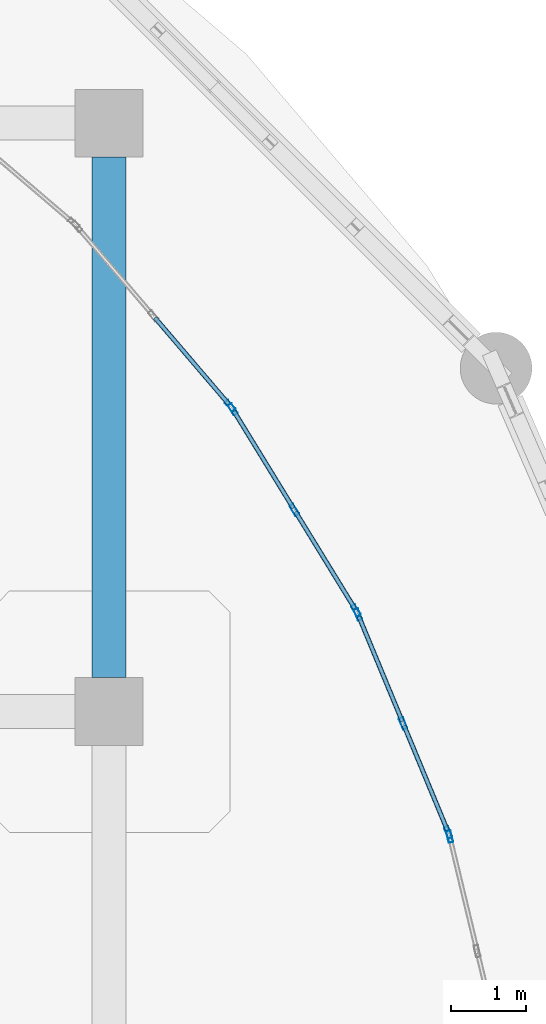
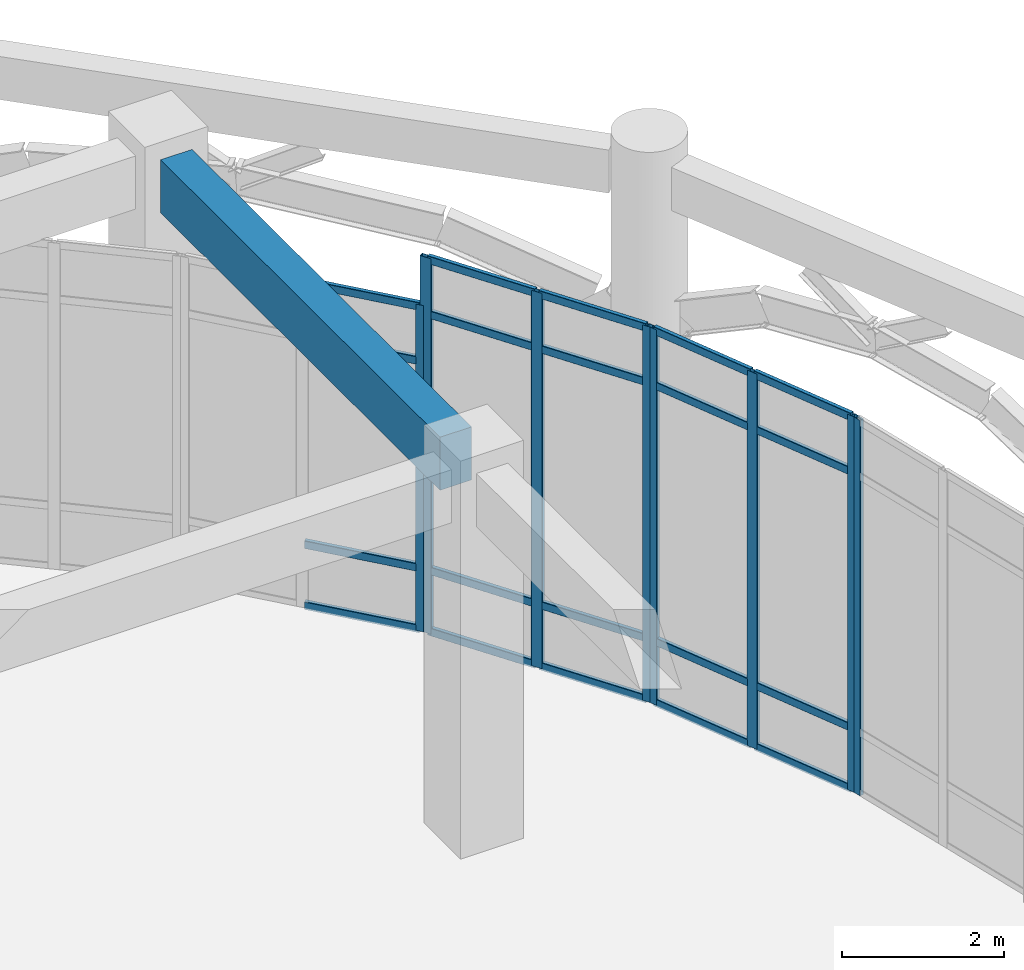
# One storey, part 46 of 82: 28 members, 1 beam, 4 elements without a shape of their own.
"""IFC4 building model written with IfcOpenShell, lengths in metres."""

from ifc_helpers import new_model, si_unit, derived_unit, direction, frame, origin, origin_2d, place, context, subcontext, project, spatial, rectangle, hollow_rectangle, extrude, material, layer, layer_set, material_profile, profile_set, type_object, element, aggregate, save


model = new_model("IFC4")

# Units and contexts
model_context = context("Model", 3, precision=1e-05, world=origin(), true_north=direction((0.0, 1.0)))
body_context = subcontext(model_context, "Body", "Model", "MODEL_VIEW")
ifc_project = project(units=[si_unit("LENGTHUNIT", "METRE"), si_unit("AREAUNIT", "SQUARE_METRE"), si_unit("VOLUMEUNIT", "CUBIC_METRE"), si_unit("PLANEANGLEUNIT", "RADIAN"), si_unit("MASSUNIT", "GRAM", prefix="KILO"), derived_unit("THERMALTRANSMITTANCEUNIT", [(si_unit("MASSUNIT", "GRAM", prefix="KILO"), 1), (si_unit("TIMEUNIT", "SECOND"), -3), (si_unit("THERMODYNAMICTEMPERATUREUNIT", "KELVIN"), -1)])], contexts=[model_context])

# Site, building, storey
site_placement = place(None, origin())
site = spatial("IfcSite", under=ifc_project, at=site_placement, CompositionType="ELEMENT")
building_placement = place(site_placement, origin())
building = spatial("IfcBuilding", under=site, at=building_placement, Name="Qinzheling Arcade Emporium", CompositionType="ELEMENT")
storey_placement = place(building_placement, origin())
storey = spatial("IfcBuildingStorey", under=building, at=storey_placement, Name="L01", CompositionType="ELEMENT", Elevation=0.0)

# Curtain wall, member
ifc_material_1 = material(Name="Anodised aluminium and solar-control double glazing", Category="aluminium")
ifc_layer = layer(ifc_material_1, 0.159912109375, Name="Anodised aluminium and solar-control double glazing", Category="aluminium")
ifc_layer_set = layer_set([ifc_layer], Name="Anodised aluminium and solar-control double glazing")
curtain_wall_type = type_object("IfcCurtainWallType", Name="Curved Ribbon Sales Curtain Wall", PredefinedType="NOTDEFINED", material=ifc_layer_set)
curtain_wall_1_placement = place(storey_placement, origin())
curtain_wall_1 = element("IfcCurtainWall", 1, at=curtain_wall_1_placement, inside=storey, type_object=curtain_wall_type, Name="Curtain Wall CW-L01-039", PredefinedType="NOTDEFINED")
ifc_material_2 = material(Name="Anodised aluminium 6063-T6", Category="aluminium")
ifc_material_profile_1 = material_profile(ifc_material_2, hollow_rectangle(XDim=0.06005859375, YDim=0.159912109375, WallThickness=0.00390625, InnerFilletRadius=0.00390625, OuterFilletRadius=0.008056640625, at=origin_2d()), Name="RHS 160x60x4", Category="aluminium")
ifc_profile_set_1 = profile_set([ifc_material_profile_1], Name="Anodised aluminium 6063-T6")
member_type_1 = type_object("IfcMemberType", Name="Curtain Wall Mullion RHS160x60", PredefinedType="MULLION", material=ifc_profile_set_1)
member_1_placement = place(storey_placement, frame((140.803466796875, 103.054931640625, 0.0), z_axis=(0.0, 0.0, 1.0), x_axis=(0.76034137818, 0.64952366287, 0.0)))
member_1 = element("IfcMember", 2, at=member_1_placement, type_object=member_type_1, Name="CW02 mullion 3", PredefinedType="MULLION", context=body_context, shape_type="SweptSolid", body=[
    extrude(hollow_rectangle(XDim=0.06005859375, YDim=0.159912109375, WallThickness=0.00390625, InnerFilletRadius=0.00390625, OuterFilletRadius=0.008056640625, at=origin_2d()), origin(), (0.0, 0.0, 1.0), 4.919921875),
])

# Curtain wall, members
curtain_wall_2_placement = place(storey_placement, origin())
curtain_wall_2 = element("IfcCurtainWall", 3, at=curtain_wall_2_placement, inside=storey, type_object=curtain_wall_type, Name="Curtain Wall CW-L01-040", PredefinedType="NOTDEFINED")
member_2_placement = place(storey_placement, frame((140.838623046875, 103.00634765625, 0.0), z_axis=(0.0, 0.0, 1.0), x_axis=(0.852691482854, 0.522414811302, 0.0)))
member_2 = element("IfcMember", 4, at=member_2_placement, type_object=member_type_1, Name="CW02 mullion 1", PredefinedType="MULLION", context=body_context, shape_type="SweptSolid", body=[
    extrude(hollow_rectangle(XDim=0.06005859375, YDim=0.159912109375, WallThickness=0.00390625, InnerFilletRadius=0.00390625, OuterFilletRadius=0.008056640625, at=origin_2d()), origin(), (0.0, 0.0, 1.0), 5.659912109375),
])
member_3_placement = place(storey_placement, frame((141.655029296875, 101.674072265625, 0.0), z_axis=(0.0, 0.0, 1.0), x_axis=(0.852691482854, 0.522414811302, 0.0)))
member_3 = element("IfcMember", 5, at=member_3_placement, type_object=member_type_1, Name="CW02 mullion 2", PredefinedType="MULLION", context=body_context, shape_type="SweptSolid", body=[
    extrude(hollow_rectangle(XDim=0.06005859375, YDim=0.159912109375, WallThickness=0.00390625, InnerFilletRadius=0.00390625, OuterFilletRadius=0.008056640625, at=origin_2d()), origin(), (0.0, 0.0, 1.0), 5.659912109375),
])
member_4_placement = place(storey_placement, frame((142.471435546875, 100.341552734375, 0.0), z_axis=(0.0, 0.0, 1.0), x_axis=(0.852691482854, 0.522414811302, 0.0)))
member_4 = element("IfcMember", 6, at=member_4_placement, type_object=member_type_1, Name="CW02 mullion 3", PredefinedType="MULLION", context=body_context, shape_type="SweptSolid", body=[
    extrude(hollow_rectangle(XDim=0.06005859375, YDim=0.159912109375, WallThickness=0.00390625, InnerFilletRadius=0.00390625, OuterFilletRadius=0.008056640625, at=origin_2d()), origin(), (0.0, 0.0, 1.0), 5.659912109375),
])

curtain_wall_3_placement = place(storey_placement, origin())
curtain_wall_3 = element("IfcCurtainWall", 7, at=curtain_wall_3_placement, inside=storey, type_object=curtain_wall_type, Name="Curtain Wall CW-L01-041", PredefinedType="NOTDEFINED")
member_5_placement = place(storey_placement, frame((142.49853515625, 100.288330078125, 0.0), z_axis=(0.0, 0.0, 1.0), x_axis=(0.923882919212, 0.382675256043, 0.0)))
member_5 = element("IfcMember", 8, at=member_5_placement, type_object=member_type_1, Name="CW02 mullion 1", PredefinedType="MULLION", context=body_context, shape_type="SweptSolid", body=[
    extrude(hollow_rectangle(XDim=0.06005859375, YDim=0.159912109375, WallThickness=0.00390625, InnerFilletRadius=0.00390625, OuterFilletRadius=0.008056640625, at=origin_2d()), origin(), (0.0, 0.0, 1.0), 5.659912109375),
])
member_6_placement = place(storey_placement, frame((143.096435546875, 98.844482421875, 0.0), z_axis=(0.0, 0.0, 1.0), x_axis=(0.923882919212, 0.382675256043, 0.0)))
member_6 = element("IfcMember", 9, at=member_6_placement, type_object=member_type_1, Name="CW02 mullion 2", PredefinedType="MULLION", context=body_context, shape_type="SweptSolid", body=[
    extrude(hollow_rectangle(XDim=0.06005859375, YDim=0.159912109375, WallThickness=0.00390625, InnerFilletRadius=0.00390625, OuterFilletRadius=0.008056640625, at=origin_2d()), origin(), (0.0, 0.0, 1.0), 5.659912109375),
])
member_7_placement = place(storey_placement, frame((143.694580078125, 97.400634765625, 0.0), z_axis=(0.0, 0.0, 1.0), x_axis=(0.923882919212, 0.382675256043, 0.0)))
member_7 = element("IfcMember", 10, at=member_7_placement, type_object=member_type_1, Name="CW02 mullion 3", PredefinedType="MULLION", context=body_context, shape_type="SweptSolid", body=[
    extrude(hollow_rectangle(XDim=0.06005859375, YDim=0.159912109375, WallThickness=0.00390625, InnerFilletRadius=0.00390625, OuterFilletRadius=0.008056640625, at=origin_2d()), origin(), (0.0, 0.0, 1.0), 5.659912109375),
])

# Curtain wall, member
curtain_wall_4_placement = place(storey_placement, origin())
curtain_wall_4 = element("IfcCurtainWall", 11, at=curtain_wall_4_placement, inside=storey, type_object=curtain_wall_type, Name="Curtain Wall CW-L01-042", PredefinedType="NOTDEFINED")
member_8_placement = place(storey_placement, frame((143.712890625, 97.34375, 0.0), z_axis=(0.0, 0.0, 1.0), x_axis=(0.972335980843, 0.233586687032, 0.0)))
member_8 = element("IfcMember", 12, at=member_8_placement, type_object=member_type_1, Name="CW02 mullion 1", PredefinedType="MULLION", context=body_context, shape_type="SweptSolid", body=[
    extrude(hollow_rectangle(XDim=0.06005859375, YDim=0.159912109375, WallThickness=0.00390625, InnerFilletRadius=0.00390625, OuterFilletRadius=0.008056640625, at=origin_2d()), origin(), (0.0, 0.0, 1.0), 5.659912109375),
])
aggregate(curtain_wall_4, [member_8])

# Member
ifc_material_profile_2 = material_profile(ifc_material_2, hollow_rectangle(XDim=0.06005859375, YDim=0.1201171875, WallThickness=0.00390625, InnerFilletRadius=0.00390625, OuterFilletRadius=0.008056640625, at=origin_2d()), Name="RHS 120x60x4", Category="aluminium")
ifc_profile_set_2 = profile_set([ifc_material_profile_2], Name="Anodised aluminium 6063-T6")
member_type_2 = type_object("IfcMemberType", Name="Curtain Wall Transom RHS120x60", PredefinedType="USERDEFINED", material=ifc_profile_set_2)
member_9_placement = place(storey_placement, frame((139.80810546875, 104.22021484375, 0.030029296875), z_axis=(0.649438878048, -0.760413797665, 0.0), x_axis=(0.760413797665, 0.649438878048, 0.0)))
member_9 = element("IfcMember", 13, at=member_9_placement, type_object=member_type_2, Name="CW02 transom 2.1", ObjectType="TRANSOM", PredefinedType="USERDEFINED", context=body_context, shape_type="SweptSolid", body=[
    extrude(hollow_rectangle(XDim=0.06005859375, YDim=0.1201171875, WallThickness=0.00390625, InnerFilletRadius=0.00390625, OuterFilletRadius=0.008056640625, at=origin_2d()), origin(), (0.0, 0.0, 1.0), 1.502685546875),
])

member_10_placement = place(storey_placement, frame((139.80810546875, 104.22021484375, 0.949951171875), z_axis=(0.649438878048, -0.760413797665, 0.0), x_axis=(0.760413797665, 0.649438878048, 0.0)))
member_10 = element("IfcMember", 14, at=member_10_placement, type_object=member_type_2, Name="CW02 transom 2.2", ObjectType="TRANSOM", PredefinedType="USERDEFINED", context=body_context, shape_type="SweptSolid", body=[
    extrude(hollow_rectangle(XDim=0.06005859375, YDim=0.1201171875, WallThickness=0.00390625, InnerFilletRadius=0.00390625, OuterFilletRadius=0.008056640625, at=origin_2d()), origin(), (0.0, 0.0, 1.0), 1.502685546875),
])

member_11_placement = place(storey_placement, frame((139.80810546875, 104.22021484375, 4.070068359375), z_axis=(0.649438878048, -0.760413797665, 0.0), x_axis=(0.760413797665, 0.649438878048, 0.0)))
member_11 = element("IfcMember", 15, at=member_11_placement, type_object=member_type_2, Name="CW02 transom 2.3", ObjectType="TRANSOM", PredefinedType="USERDEFINED", context=body_context, shape_type="SweptSolid", body=[
    extrude(hollow_rectangle(XDim=0.06005859375, YDim=0.1201171875, WallThickness=0.00390625, InnerFilletRadius=0.00390625, OuterFilletRadius=0.008056640625, at=origin_2d()), origin(), (0.0, 0.0, 1.0), 1.502685546875),
])

member_12_placement = place(storey_placement, frame((139.80810546875, 104.22021484375, 4.889892578125), z_axis=(0.649438878048, -0.760413797665, 0.0), x_axis=(0.760413797665, 0.649438878048, 0.0)))
member_12 = element("IfcMember", 16, at=member_12_placement, type_object=member_type_2, Name="CW02 transom 2.4", ObjectType="TRANSOM", PredefinedType="USERDEFINED", context=body_context, shape_type="SweptSolid", body=[
    extrude(hollow_rectangle(XDim=0.06005859375, YDim=0.1201171875, WallThickness=0.00390625, InnerFilletRadius=0.00390625, OuterFilletRadius=0.008056640625, at=origin_2d()), origin(), (0.0, 0.0, 1.0), 1.502685546875),
])

aggregate(curtain_wall_1, [member_1, member_9, member_10, member_11, member_12])

member_13_placement = place(storey_placement, frame((140.854248046875, 102.98095703125, 0.030029296875), z_axis=(0.522428727246, -0.852682956877, 0.0), x_axis=(0.852682956877, 0.522428727246, 0.0)))
member_13 = element("IfcMember", 17, at=member_13_placement, type_object=member_type_2, Name="CW02 transom 1.1", ObjectType="TRANSOM", PredefinedType="USERDEFINED", context=body_context, shape_type="SweptSolid", body=[
    extrude(hollow_rectangle(XDim=0.06005859375, YDim=0.1201171875, WallThickness=0.00390625, InnerFilletRadius=0.00390625, OuterFilletRadius=0.008056640625, at=origin_2d()), origin(), (0.0, 0.0, 1.0), 1.5029296875),
])

member_14_placement = place(storey_placement, frame((140.854248046875, 102.98095703125, 0.949951171875), z_axis=(0.522428727246, -0.852682956877, 0.0), x_axis=(0.852682956877, 0.522428727246, 0.0)))
member_14 = element("IfcMember", 18, at=member_14_placement, type_object=member_type_2, Name="CW02 transom 1.2", ObjectType="TRANSOM", PredefinedType="USERDEFINED", context=body_context, shape_type="SweptSolid", body=[
    extrude(hollow_rectangle(XDim=0.06005859375, YDim=0.1201171875, WallThickness=0.00390625, InnerFilletRadius=0.00390625, OuterFilletRadius=0.008056640625, at=origin_2d()), origin(), (0.0, 0.0, 1.0), 1.5029296875),
])

member_15_placement = place(storey_placement, frame((140.854248046875, 102.98095703125, 4.81005859375), z_axis=(0.522428727246, -0.852682956877, 0.0), x_axis=(0.852682956877, 0.522428727246, 0.0)))
member_15 = element("IfcMember", 19, at=member_15_placement, type_object=member_type_2, Name="CW02 transom 1.3", ObjectType="TRANSOM", PredefinedType="USERDEFINED", context=body_context, shape_type="SweptSolid", body=[
    extrude(hollow_rectangle(XDim=0.06005859375, YDim=0.1201171875, WallThickness=0.00390625, InnerFilletRadius=0.00390625, OuterFilletRadius=0.008056640625, at=origin_2d()), origin(), (0.0, 0.0, 1.0), 1.5029296875),
])

member_16_placement = place(storey_placement, frame((140.854248046875, 102.98095703125, 5.6298828125), z_axis=(0.522428727246, -0.852682956877, 0.0), x_axis=(0.852682956877, 0.522428727246, 0.0)))
member_16 = element("IfcMember", 20, at=member_16_placement, type_object=member_type_2, Name="CW02 transom 1.4", ObjectType="TRANSOM", PredefinedType="USERDEFINED", context=body_context, shape_type="SweptSolid", body=[
    extrude(hollow_rectangle(XDim=0.06005859375, YDim=0.1201171875, WallThickness=0.00390625, InnerFilletRadius=0.00390625, OuterFilletRadius=0.008056640625, at=origin_2d()), origin(), (0.0, 0.0, 1.0), 1.5029296875),
])

member_17_placement = place(storey_placement, frame((141.670654296875, 101.6484375, 0.030029296875), z_axis=(0.52238297092, -0.852710989546, 0.0), x_axis=(0.852710989546, 0.52238297092, 0.0)))
member_17 = element("IfcMember", 21, at=member_17_placement, type_object=member_type_2, Name="CW02 transom 2.1", ObjectType="TRANSOM", PredefinedType="USERDEFINED", context=body_context, shape_type="SweptSolid", body=[
    extrude(hollow_rectangle(XDim=0.06005859375, YDim=0.1201171875, WallThickness=0.00390625, InnerFilletRadius=0.00390625, OuterFilletRadius=0.008056640625, at=origin_2d()), origin(), (0.0, 0.0, 1.0), 1.50244140625),
])

member_18_placement = place(storey_placement, frame((141.670654296875, 101.6484375, 0.949951171875), z_axis=(0.52238297092, -0.852710989546, 0.0), x_axis=(0.852710989546, 0.52238297092, 0.0)))
member_18 = element("IfcMember", 22, at=member_18_placement, type_object=member_type_2, Name="CW02 transom 2.2", ObjectType="TRANSOM", PredefinedType="USERDEFINED", context=body_context, shape_type="SweptSolid", body=[
    extrude(hollow_rectangle(XDim=0.06005859375, YDim=0.1201171875, WallThickness=0.00390625, InnerFilletRadius=0.00390625, OuterFilletRadius=0.008056640625, at=origin_2d()), origin(), (0.0, 0.0, 1.0), 1.50244140625),
])

member_19_placement = place(storey_placement, frame((141.670654296875, 101.6484375, 4.81005859375), z_axis=(0.52238297092, -0.852710989546, 0.0), x_axis=(0.852710989546, 0.52238297092, 0.0)))
member_19 = element("IfcMember", 23, at=member_19_placement, type_object=member_type_2, Name="CW02 transom 2.3", ObjectType="TRANSOM", PredefinedType="USERDEFINED", context=body_context, shape_type="SweptSolid", body=[
    extrude(hollow_rectangle(XDim=0.06005859375, YDim=0.1201171875, WallThickness=0.00390625, InnerFilletRadius=0.00390625, OuterFilletRadius=0.008056640625, at=origin_2d()), origin(), (0.0, 0.0, 1.0), 1.50244140625),
])

member_20_placement = place(storey_placement, frame((141.670654296875, 101.6484375, 5.6298828125), z_axis=(0.52238297092, -0.852710989546, 0.0), x_axis=(0.852710989546, 0.52238297092, 0.0)))
member_20 = element("IfcMember", 24, at=member_20_placement, type_object=member_type_2, Name="CW02 transom 2.4", ObjectType="TRANSOM", PredefinedType="USERDEFINED", context=body_context, shape_type="SweptSolid", body=[
    extrude(hollow_rectangle(XDim=0.06005859375, YDim=0.1201171875, WallThickness=0.00390625, InnerFilletRadius=0.00390625, OuterFilletRadius=0.008056640625, at=origin_2d()), origin(), (0.0, 0.0, 1.0), 1.50244140625),
])

aggregate(curtain_wall_2, [member_2, member_3, member_4, member_13, member_14, member_15, member_16, member_17, member_18, member_19, member_20])

member_21_placement = place(storey_placement, frame((142.510009765625, 100.260498046875, 0.030029296875), z_axis=(0.382653153967, -0.923892073653, 0.0), x_axis=(0.923892073653, 0.382653153967, 0.0)))
member_21 = element("IfcMember", 25, at=member_21_placement, type_object=member_type_2, Name="CW02 transom 1.1", ObjectType="TRANSOM", PredefinedType="USERDEFINED", context=body_context, shape_type="SweptSolid", body=[
    extrude(hollow_rectangle(XDim=0.06005859375, YDim=0.1201171875, WallThickness=0.00390625, InnerFilletRadius=0.00390625, OuterFilletRadius=0.008056640625, at=origin_2d()), origin(), (0.0, 0.0, 1.0), 1.50244140625),
])

member_22_placement = place(storey_placement, frame((142.510009765625, 100.260498046875, 0.949951171875), z_axis=(0.382653153967, -0.923892073653, 0.0), x_axis=(0.923892073653, 0.382653153967, 0.0)))
member_22 = element("IfcMember", 26, at=member_22_placement, type_object=member_type_2, Name="CW02 transom 1.2", ObjectType="TRANSOM", PredefinedType="USERDEFINED", context=body_context, shape_type="SweptSolid", body=[
    extrude(hollow_rectangle(XDim=0.06005859375, YDim=0.1201171875, WallThickness=0.00390625, InnerFilletRadius=0.00390625, OuterFilletRadius=0.008056640625, at=origin_2d()), origin(), (0.0, 0.0, 1.0), 1.50244140625),
])

member_23_placement = place(storey_placement, frame((142.510009765625, 100.260498046875, 4.81005859375), z_axis=(0.382653153967, -0.923892073653, 0.0), x_axis=(0.923892073653, 0.382653153967, 0.0)))
member_23 = element("IfcMember", 27, at=member_23_placement, type_object=member_type_2, Name="CW02 transom 1.3", ObjectType="TRANSOM", PredefinedType="USERDEFINED", context=body_context, shape_type="SweptSolid", body=[
    extrude(hollow_rectangle(XDim=0.06005859375, YDim=0.1201171875, WallThickness=0.00390625, InnerFilletRadius=0.00390625, OuterFilletRadius=0.008056640625, at=origin_2d()), origin(), (0.0, 0.0, 1.0), 1.50244140625),
])

member_24_placement = place(storey_placement, frame((142.510009765625, 100.260498046875, 5.6298828125), z_axis=(0.382653153967, -0.923892073653, 0.0), x_axis=(0.923892073653, 0.382653153967, 0.0)))
member_24 = element("IfcMember", 28, at=member_24_placement, type_object=member_type_2, Name="CW02 transom 1.4", ObjectType="TRANSOM", PredefinedType="USERDEFINED", context=body_context, shape_type="SweptSolid", body=[
    extrude(hollow_rectangle(XDim=0.06005859375, YDim=0.1201171875, WallThickness=0.00390625, InnerFilletRadius=0.00390625, OuterFilletRadius=0.008056640625, at=origin_2d()), origin(), (0.0, 0.0, 1.0), 1.50244140625),
])

member_25_placement = place(storey_placement, frame((143.10791015625, 98.81689453125, 0.030029296875), z_axis=(0.38273438548, -0.923858425394, 0.0), x_axis=(0.923858425394, 0.38273438548, 0.0)))
member_25 = element("IfcMember", 29, at=member_25_placement, type_object=member_type_2, Name="CW02 transom 2.1", ObjectType="TRANSOM", PredefinedType="USERDEFINED", context=body_context, shape_type="SweptSolid", body=[
    extrude(hollow_rectangle(XDim=0.06005859375, YDim=0.1201171875, WallThickness=0.00390625, InnerFilletRadius=0.00390625, OuterFilletRadius=0.008056640625, at=origin_2d()), origin(), (0.0, 0.0, 1.0), 1.5029296875),
])

member_26_placement = place(storey_placement, frame((143.10791015625, 98.81689453125, 0.949951171875), z_axis=(0.38273438548, -0.923858425394, 0.0), x_axis=(0.923858425394, 0.38273438548, 0.0)))
member_26 = element("IfcMember", 30, at=member_26_placement, type_object=member_type_2, Name="CW02 transom 2.2", ObjectType="TRANSOM", PredefinedType="USERDEFINED", context=body_context, shape_type="SweptSolid", body=[
    extrude(hollow_rectangle(XDim=0.06005859375, YDim=0.1201171875, WallThickness=0.00390625, InnerFilletRadius=0.00390625, OuterFilletRadius=0.008056640625, at=origin_2d()), origin(), (0.0, 0.0, 1.0), 1.5029296875),
])

member_27_placement = place(storey_placement, frame((143.10791015625, 98.81689453125, 4.81005859375), z_axis=(0.38273438548, -0.923858425394, 0.0), x_axis=(0.923858425394, 0.38273438548, 0.0)))
member_27 = element("IfcMember", 31, at=member_27_placement, type_object=member_type_2, Name="CW02 transom 2.3", ObjectType="TRANSOM", PredefinedType="USERDEFINED", context=body_context, shape_type="SweptSolid", body=[
    extrude(hollow_rectangle(XDim=0.06005859375, YDim=0.1201171875, WallThickness=0.00390625, InnerFilletRadius=0.00390625, OuterFilletRadius=0.008056640625, at=origin_2d()), origin(), (0.0, 0.0, 1.0), 1.5029296875),
])

member_28_placement = place(storey_placement, frame((143.10791015625, 98.81689453125, 5.6298828125), z_axis=(0.38273438548, -0.923858425394, 0.0), x_axis=(0.923858425394, 0.38273438548, 0.0)))
member_28 = element("IfcMember", 32, at=member_28_placement, type_object=member_type_2, Name="CW02 transom 2.4", ObjectType="TRANSOM", PredefinedType="USERDEFINED", context=body_context, shape_type="SweptSolid", body=[
    extrude(hollow_rectangle(XDim=0.06005859375, YDim=0.1201171875, WallThickness=0.00390625, InnerFilletRadius=0.00390625, OuterFilletRadius=0.008056640625, at=origin_2d()), origin(), (0.0, 0.0, 1.0), 1.5029296875),
])

aggregate(curtain_wall_3, [member_5, member_6, member_7, member_21, member_22, member_23, member_24, member_25, member_26, member_27, member_28])

# Beam
ifc_material_3 = material(Name="Concrete C40", Category="concrete")
ifc_material_profile_3 = material_profile(ifc_material_3, rectangle(XDim=0.449951171875, YDim=0.800048828125, at=origin_2d()), Name="RC 450x800", Category="concrete")
ifc_profile_set_3 = profile_set([ifc_material_profile_3], Name="Concrete C40")
beam_type = type_object("IfcBeamType", Name="RC Primary Frame Beam 450x800 C40", PredefinedType="BEAM", material=ifc_profile_set_3)
beam_placement = place(storey_placement, frame((139.199951171875, 99.449951171875, 5.3349609375), z_axis=(0.0, 1.0, 0.0), x_axis=(-1.0, 0.0, 0.0)))
element("IfcBeam", 33, at=beam_placement, inside=storey, type_object=beam_type, Name="Beam BM-L01-Y-17-M", PredefinedType="BEAM", context=body_context, shape_type="SweptSolid", body=[
    extrude(rectangle(XDim=0.449951171875, YDim=0.800048828125, at=origin_2d()), origin(), (0.0, 0.0, 1.0), 6.900146484375),
])

save(model, "model.ifc")
